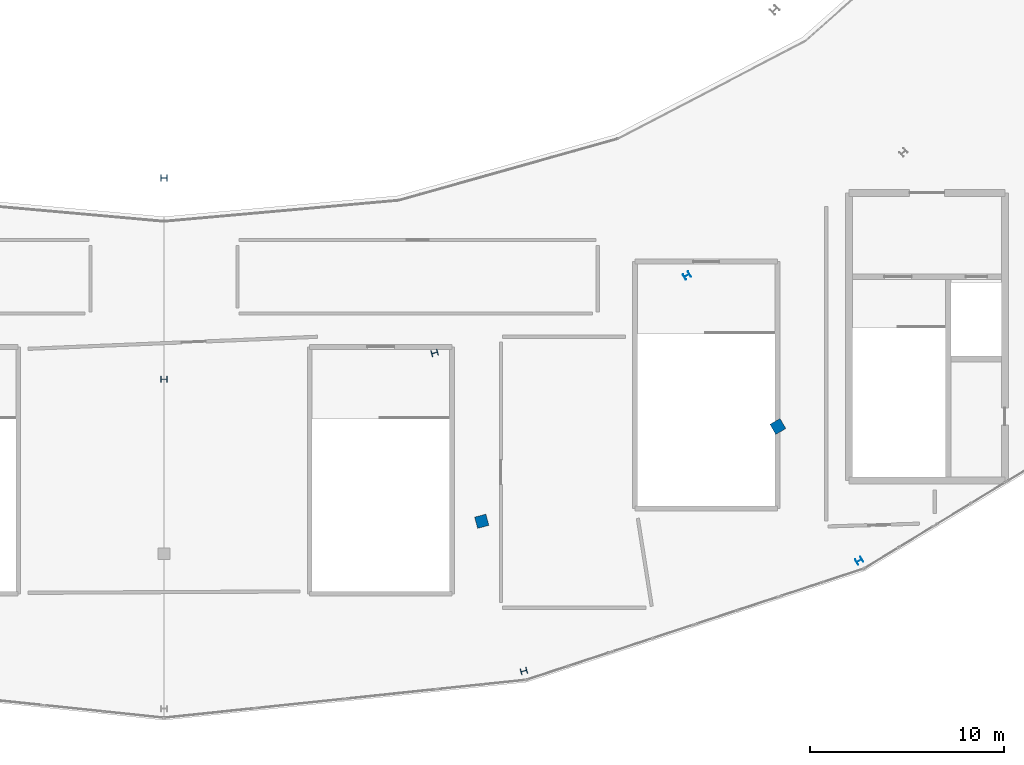
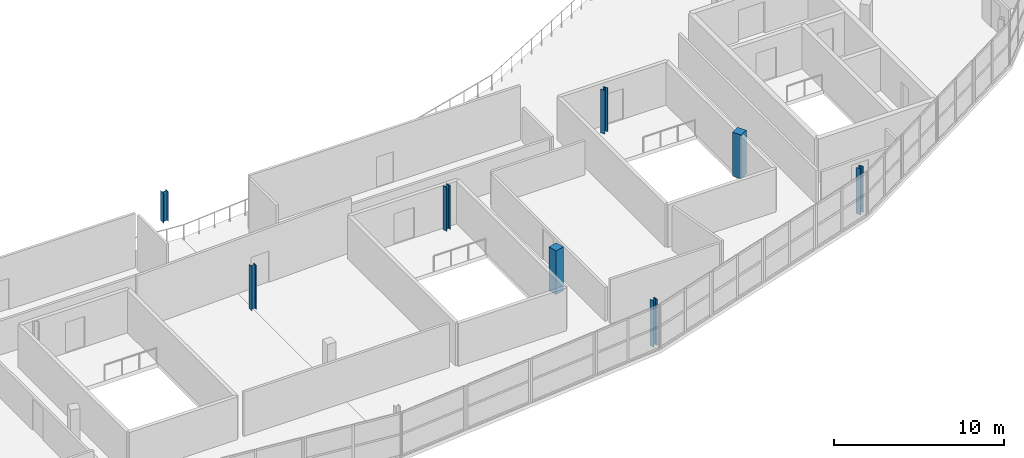
# One storey, part 5 of 35: 8 columns.
"""IFC4 building model written with IfcOpenShell, lengths in metres."""

from ifc_helpers import new_model, si_unit, direction, frame, origin, origin_2d, place, context, subcontext, project, spatial, rectangle, i_section, extrude, material, material_profile, profile_set, type_object, element, save


model = new_model("IFC4")

# Units and contexts
model_context = context("Model", 3, precision=1e-05, world=origin(), true_north=direction((0.0, 1.0)))
body_context = subcontext(model_context, "Body", "Model", "MODEL_VIEW")
ifc_project = project(units=[si_unit("LENGTHUNIT", "METRE"), si_unit("AREAUNIT", "SQUARE_METRE"), si_unit("VOLUMEUNIT", "CUBIC_METRE"), si_unit("PLANEANGLEUNIT", "RADIAN"), si_unit("MASSUNIT", "GRAM", prefix="KILO")], contexts=[model_context])

# Site, building, storey
site_placement = place(None, origin())
site = spatial("IfcSite", under=ifc_project, at=site_placement, CompositionType="ELEMENT")
building_placement = place(site_placement, origin())
building = spatial("IfcBuilding", under=site, at=building_placement, Name="Kalgoora Escarpment Arena", CompositionType="ELEMENT")
storey_placement = place(building_placement, frame((0.0, 0.0, 23.39990234375)))
storey = spatial("IfcBuildingStorey", under=building, at=storey_placement, Name="L05", CompositionType="ELEMENT", Elevation=23.39990234375)

# Columns
ifc_material_1 = material(Name="Structural steel AS/NZS 3679 (300 MPa)", Category="steel")
ifc_material_profile_1 = material_profile(ifc_material_1, i_section(OverallWidth=0.30908203125, OverallDepth=0.321044921875, WebThickness=0.013916015625, FlangeThickness=0.021728515625, at=origin_2d()))
ifc_profile_set_1 = profile_set([ifc_material_profile_1], Name="Structural steel AS/NZS 3679 (300 MPa)")
column_type_1 = type_object("IfcColumnType", Name="COL-COL-310UC137", PredefinedType="COLUMN", material=ifc_profile_set_1)
for number, where, z_axis, x_axis, name in (
    (1, (110.983154296875, 8.942138671875, 0.0), (0.0, 0.0, 1.0), (0.258819045103, -0.965925826289, 0.0), "L05 structural column COL-RCONC2-R20"),
    (2, (128.300048828125, 14.63671875, 0.0), (0.0, 0.0, 1.0), (0.5, -0.866025403784, 0.0), "L05 structural column COL-RCONC2-R21"),
):
    element("IfcColumn", number, at=place(storey_placement, frame(where, z_axis=z_axis, x_axis=x_axis)), inside=storey, type_object=column_type_1, Name=name, PredefinedType="COLUMN", context=body_context, shape_type="SweptSolid", body=[
        extrude(i_section(OverallWidth=0.30908203125, OverallDepth=0.321044921875, WebThickness=0.013916015625, FlangeThickness=0.021728515625, at=origin_2d()), origin(), (0.0, 0.0, 1.0), 3.320068359375),
    ])
ifc_material_2 = material(Name="Structural steel AS/NZS 3679 (300 MPa)", Category="steel")
ifc_material_profile_2 = material_profile(ifc_material_2, i_section(OverallWidth=0.31103515625, OverallDepth=0.326904296875, WebThickness=0.015625, FlangeThickness=0.02490234375, at=origin_2d()))
ifc_profile_set_2 = profile_set([ifc_material_profile_2], Name="Structural steel AS/NZS 3679 (300 MPa)")
column_type_2 = type_object("IfcColumnType", Name="COL-COL-310UC158", PredefinedType="COLUMN", material=ifc_profile_set_2)
for number, where, z_axis, x_axis, name in (
    (3, (92.39990234375, 24.0, 0.0), (0.0, 0.0, 1.0), (0.0, -1.0, 0.0), "L05 structural column COL-RMAIN-R19"),
    (4, (106.376220703125, 25.363037109375, 0.0), (0.0, 0.0, 1.0), (0.258819045103, -0.965925826289, 0.0), "L05 structural column COL-RMAIN-R20"),
    (5, (119.39990234375, 29.35888671875, 0.0), (0.0, 0.0, 1.0), (0.5, -0.866025403784, 0.0), "L05 structural column COL-RMAIN-R21"),
):
    element("IfcColumn", number, at=place(storey_placement, frame(where, z_axis=z_axis, x_axis=x_axis)), inside=storey, type_object=column_type_2, Name=name, PredefinedType="COLUMN", context=body_context, shape_type="SweptSolid", body=[
        extrude(i_section(OverallWidth=0.31103515625, OverallDepth=0.326904296875, WebThickness=0.015625, FlangeThickness=0.02490234375, at=origin_2d()), origin(), (0.0, 0.0, 1.0), 3.150146484375),
    ])
ifc_material_3 = material(Name="Structural steel Grade 350 (350 MPa)", Category="steel")
ifc_material_profile_3 = material_profile(ifc_material_3, i_section(OverallWidth=0.35009765625, OverallDepth=0.35009765625, WebThickness=0.013916015625, FlangeThickness=0.02392578125, at=origin_2d()))
ifc_profile_set_3 = profile_set([ifc_material_profile_3], Name="Structural steel Grade 350 (350 MPa)")
column_type_3 = type_object("IfcColumnType", Name="COL-COL-350WC197", PredefinedType="COLUMN", material=ifc_profile_set_3)
column_placement = place(storey_placement, frame((92.39990234375, 34.39990234375, 0.0), z_axis=(0.0, 0.0, 1.0), x_axis=(0.0, -1.0, 0.0)))
element("IfcColumn", 6, at=column_placement, inside=storey, type_object=column_type_3, Name="L05 structural column COL-TSPINE-S07", PredefinedType="COLUMN", context=body_context, shape_type="SweptSolid", body=[
    extrude(i_section(OverallWidth=0.35009765625, OverallDepth=0.35009765625, WebThickness=0.013916015625, FlangeThickness=0.02392578125, at=origin_2d()), origin(), (0.0, 0.0, 1.0), 2.150146484375),
])
ifc_material_4 = material(Name="Concrete N50 (fc' 50 MPa)", Category="concrete")
ifc_material_profile_4 = material_profile(ifc_material_4, rectangle(XDim=0.60009765625, YDim=0.60009765625, at=origin_2d()))
ifc_profile_set_4 = profile_set([ifc_material_profile_4], Name="Concrete N50 (fc' 50 MPa)")
column_type_4 = type_object("IfcColumnType", Name="COL-COL-RC600x600", PredefinedType="COLUMN", material=ifc_profile_set_4)
for number, where, z_axis, x_axis, name in (
    (7, (108.80908203125, 16.669677734375, 0.0), (0.0, 0.0, 1.0), (0.258819045103, -0.965925826289, 0.0), "L05 structural column COL-RCONC1-R20"),
    (8, (124.10009765625, 21.564697265625, 0.0), (0.0, 0.0, 1.0), (0.5, -0.866025403784, 0.0), "L05 structural column COL-RCONC1-R21"),
):
    element("IfcColumn", number, at=place(storey_placement, frame(where, z_axis=z_axis, x_axis=x_axis)), inside=storey, type_object=column_type_4, Name=name, PredefinedType="COLUMN", context=body_context, shape_type="SweptSolid", body=[
        extrude(rectangle(XDim=0.60009765625, YDim=0.60009765625, at=origin_2d()), origin(), (0.0, 0.0, 1.0), 3.150146484375),
    ])

save(model, "model.ifc")
